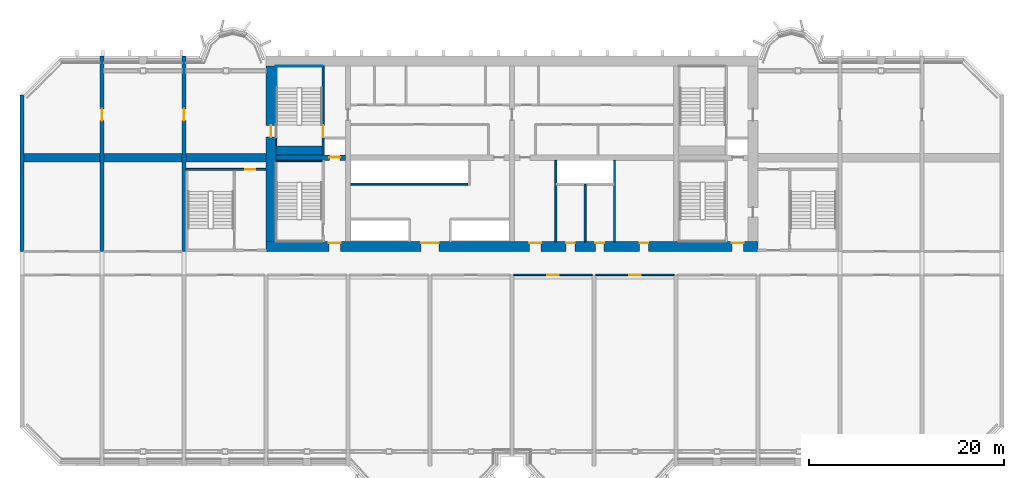
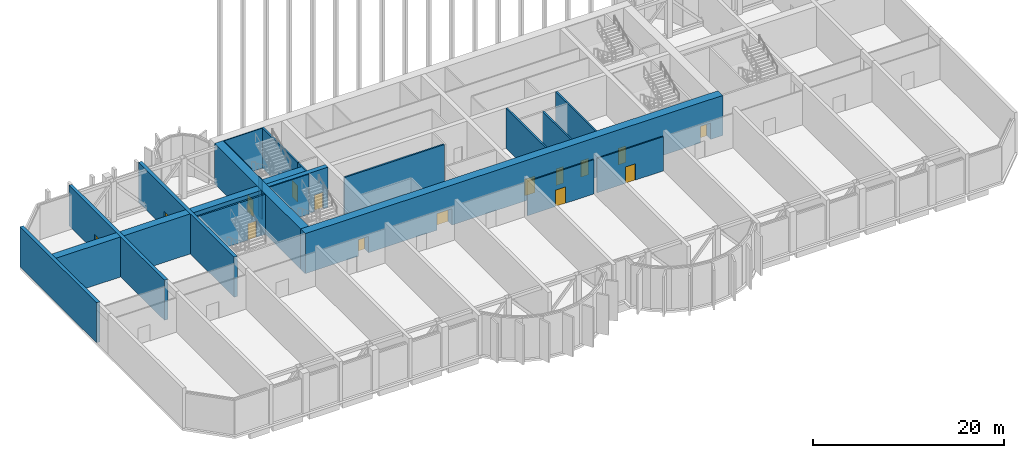
# One storey, part 6 of 17: 23 walls, 15 doors, 15 openings.
"""IFC4 building model written with IfcOpenShell, lengths in metres."""

from ifc_helpers import new_model, si_unit, direction, frame, frame_2d, origin, place, context, subcontext, project, spatial, rectangle, extrude, source, transform, mapped, material, layer, layer_set, type_object, element, fill, save


model = new_model("IFC4")

# Units and contexts
model_context = context("Model", 3, precision=1e-05, world=origin(), true_north=direction((0.0, 1.0)))
body_context = subcontext(model_context, "Body", "Model", "MODEL_VIEW")
ifc_project = project(units=[si_unit("LENGTHUNIT", "METRE"), si_unit("AREAUNIT", "SQUARE_METRE"), si_unit("VOLUMEUNIT", "CUBIC_METRE"), si_unit("PLANEANGLEUNIT", "RADIAN"), si_unit("MASSUNIT", "GRAM", prefix="KILO")], contexts=[model_context])

# Site, building, storey
site_placement = place(None, origin())
site = spatial("IfcSite", under=ifc_project, at=site_placement, CompositionType="ELEMENT")
building_placement = place(site_placement, origin())
building = spatial("IfcBuilding", under=site, at=building_placement, Name="Vanashikhar Sky Hotel", CompositionType="ELEMENT")
storey_placement = place(building_placement, frame((0.0, 0.0, 81.0)))
storey = spatial("IfcBuildingStorey", under=building, at=storey_placement, Name="L19", CompositionType="ELEMENT", Elevation=81.0)

# Wall, openings, doors
ifc_material_1 = material(Name="Concrete M80", Category="concrete")
ifc_layer_1 = layer(ifc_material_1, 1.0)
ifc_layer_set_1 = layer_set([ifc_layer_1], Name="RC core shell wall 1000 Concrete M80")
wall_type_1 = type_object("IfcWallType", Name="RC core shell wall 1000 Concrete M80", PredefinedType="SHEAR", material=ifc_layer_set_1)
shared_shape_1 = source(origin(), body_context, "Body", "SweptSolid", [
    extrude(rectangle(XDim=50.400146484375, YDim=1.0, at=frame_2d((25.2001953125, 0.0))), origin(), (0.0, 0.0, 1.0), 5.1201171875),
])
wall_1_placement = place(storey_placement, frame((25.199951171875, 22.5, 0.0), z_axis=(0.0, 0.0, 1.0), x_axis=(1.0, 0.0, 0.0)))
wall_1 = element("IfcWall", 1, at=wall_1_placement, inside=storey, type_object=wall_type_1, Name="KW-L19-KS", PredefinedType="SHEAR", context=body_context, shape_type="MappedRepresentation", body=[
    mapped(shared_shape_1, transform((0.0, 0.0, 0.0), scale=1.0)),
])
shared_shape_2 = source(origin(), body_context, "Body", "SweptSolid", [
    extrude(rectangle(XDim=1.800048828125, YDim=2.10009765625, at=frame_2d((0.89990234375, 1.050048828125))), frame((0.0, 0.510009765625, 0.0), z_axis=(0.0, -1.0, 0.0), x_axis=(1.0, 0.0, 0.0)), (0.0, 0.0, 1.0), 1.02001953125),
])
opening_1_placement = place(wall_1_placement, frame((15.89990234375, 0.0, 0.0)))
opening_1 = element("IfcOpeningElement", 2, at=opening_1_placement, cuts=wall_1, Name="Opening DC-3", PredefinedType="OPENING", context=body_context, shape_type="MappedRepresentation", body=[
    mapped(shared_shape_2, transform((0.0, 0.0, 0.0), scale=1.0)),
])
shared_shape_3 = source(origin(), body_context, "Body", "SweptSolid", [
    extrude(rectangle(XDim=1.199951171875, YDim=2.10009765625, at=frame_2d((0.60009765625, 1.050048828125))), frame((0.0, 0.510009765625, 0.0), z_axis=(0.0, -1.0, 0.0), x_axis=(1.0, 0.0, 0.0)), (0.0, 0.0, 1.0), 1.02001953125),
])
opening_2_placement = place(wall_1_placement, frame((26.987060546875, 0.0, 0.0)))
opening_2 = element("IfcOpeningElement", 3, at=opening_2_placement, cuts=wall_1, Name="Opening DC-4-B", PredefinedType="OPENING", context=body_context, shape_type="MappedRepresentation", body=[
    mapped(shared_shape_3, transform((0.0, 0.0, 0.0), scale=1.0)),
])
shared_shape_4 = source(origin(), body_context, "Body", "SweptSolid", [
    extrude(rectangle(XDim=0.89990234375, YDim=2.10009765625, at=frame_2d((0.449951171875, 1.050048828125))), frame((0.0, 0.510009765625, 0.0), z_axis=(0.0, -1.0, 0.0), x_axis=(1.0, 0.0, 0.0)), (0.0, 0.0, 1.0), 1.02001953125),
])
opening_3_placement = place(wall_1_placement, frame((33.75, 0.0, 0.0)))
opening_3 = element("IfcOpeningElement", 4, at=opening_3_placement, cuts=wall_1, Name="Opening DC-4-A", PredefinedType="OPENING", context=body_context, shape_type="MappedRepresentation", body=[
    mapped(shared_shape_4, transform((0.0, 0.0, 0.0), scale=1.0)),
])
opening_4_placement = place(wall_1_placement, frame((30.75, 0.0, 0.0)))
opening_4 = element("IfcOpeningElement", 5, at=opening_4_placement, cuts=wall_1, Name="Opening DC-4-A", PredefinedType="OPENING", context=body_context, shape_type="MappedRepresentation", body=[
    mapped(shared_shape_4, transform((0.0, 0.0, 0.0), scale=1.0)),
])
opening_5_placement = place(wall_1_placement, frame((38.261962890625, 0.0, 0.0)))
opening_5 = element("IfcOpeningElement", 6, at=opening_5_placement, cuts=wall_1, Name="Opening DC-4-A", PredefinedType="OPENING", context=body_context, shape_type="MappedRepresentation", body=[
    mapped(shared_shape_4, transform((0.0, 0.0, 0.0), scale=1.0)),
])
opening_6_placement = place(wall_1_placement, frame((6.43798828125, 0.0, 0.0)))
opening_6 = element("IfcOpeningElement", 7, at=opening_6_placement, cuts=wall_1, Name="Opening DC-2", PredefinedType="OPENING", context=body_context, shape_type="MappedRepresentation", body=[
    mapped(shared_shape_3, transform((0.0, 0.0, 0.0), scale=1.0)),
])
opening_7_placement = place(wall_1_placement, frame((47.72509765625, 0.0, 0.0)))
opening_7 = element("IfcOpeningElement", 8, at=opening_7_placement, cuts=wall_1, Name="Opening DC-2", PredefinedType="OPENING", context=body_context, shape_type="MappedRepresentation", body=[
    mapped(shared_shape_3, transform((0.0, 0.0, 0.0), scale=1.0)),
])
ifc_material_2 = material(Name="Glass", Category="glass")
door_type_1 = type_object("IfcDoorType", Name="Lift lobby entrance door 1800 FD60", OperationType="NOTDEFINED", PredefinedType="DOOR", material=ifc_material_2)
shared_shape_5 = source(origin(), body_context, "Body", "SweptSolid", [
    extrude(rectangle(XDim=1.800048828125, YDim=2.10009765625, at=frame_2d((0.89990234375, 1.050048828125))), frame((0.0, 0.375, 0.0), z_axis=(0.0, -1.0, 0.0), x_axis=(1.0, 0.0, 0.0)), (0.0, 0.0, 1.0), 0.050048828125),
])
door_1_placement = place(opening_1_placement, origin())
door_1 = element("IfcDoor", 9, at=door_1_placement, inside=storey, type_object=door_type_1, Name="Lift lobby entrance door 1800 FD60", OperationType="DOUBLE_DOOR_SINGLE_SWING", OverallHeight=2.10009765625, OverallWidth=1.800048828125, PredefinedType="DOOR", context=body_context, shape_type="MappedRepresentation", body=[
    mapped(shared_shape_5, transform((0.0, 0.0, 0.0), scale=1.0)),
])
fill(opening_1, door_1)
ifc_material_3 = material(Name="Steel", Category="steel")
door_type_2 = type_object("IfcDoorType", Name="Service door 1200 FD60", OperationType="NOTDEFINED", PredefinedType="DOOR", material=ifc_material_3)
shared_shape_6 = source(origin(), body_context, "Body", "SweptSolid", [
    extrude(rectangle(XDim=1.199951171875, YDim=2.10009765625, at=frame_2d((0.60009765625, 1.050048828125))), frame((0.0, 0.375, 0.0), z_axis=(0.0, -1.0, 0.0), x_axis=(1.0, 0.0, 0.0)), (0.0, 0.0, 1.0), 0.050048828125),
])
door_2_placement = place(opening_2_placement, origin())
door_2 = element("IfcDoor", 10, at=door_2_placement, inside=storey, type_object=door_type_2, Name="Service door 1200 FD60", OperationType="SINGLE_SWING_RIGHT", OverallHeight=2.10009765625, OverallWidth=1.199951171875, PredefinedType="DOOR", context=body_context, shape_type="MappedRepresentation", body=[
    mapped(shared_shape_6, transform((0.0, 0.0, 0.0), scale=1.0)),
])
fill(opening_2, door_2)
door_type_3 = type_object("IfcDoorType", Name="Firefighting lobby door 1200 FD120", OperationType="NOTDEFINED", PredefinedType="DOOR", material=ifc_material_3)
door_3_placement = place(opening_6_placement, origin())
door_3 = element("IfcDoor", 11, at=door_3_placement, inside=storey, type_object=door_type_3, Name="Firefighting lobby door 1200 FD120", OperationType="SINGLE_SWING_RIGHT", OverallHeight=2.10009765625, OverallWidth=1.199951171875, PredefinedType="DOOR", context=body_context, shape_type="MappedRepresentation", body=[
    mapped(shared_shape_6, transform((0.0, 0.0, 0.0), scale=1.0)),
])
fill(opening_6, door_3)
door_4_placement = place(opening_7_placement, origin())
door_4 = element("IfcDoor", 12, at=door_4_placement, inside=storey, type_object=door_type_3, Name="Firefighting lobby door 1200 FD120", OperationType="SINGLE_SWING_LEFT", OverallHeight=2.10009765625, OverallWidth=1.199951171875, PredefinedType="DOOR", context=body_context, shape_type="MappedRepresentation", body=[
    mapped(shared_shape_6, transform((0.0, 0.0, 0.0), scale=1.0)),
])
fill(opening_7, door_4)
door_type_4 = type_object("IfcDoorType", Name="Service door 900 FD60", OperationType="NOTDEFINED", PredefinedType="DOOR", material=ifc_material_3)
shared_shape_7 = source(origin(), body_context, "Body", "SweptSolid", [
    extrude(rectangle(XDim=0.89990234375, YDim=2.10009765625, at=frame_2d((0.449951171875, 1.050048828125))), frame((0.0, 0.375, 0.0), z_axis=(0.0, -1.0, 0.0), x_axis=(1.0, 0.0, 0.0)), (0.0, 0.0, 1.0), 0.050048828125),
])
door_5_placement = place(opening_3_placement, origin())
door_5 = element("IfcDoor", 13, at=door_5_placement, inside=storey, type_object=door_type_4, Name="Service door 900 FD60", OperationType="SINGLE_SWING_RIGHT", OverallHeight=2.10009765625, OverallWidth=0.89990234375, PredefinedType="DOOR", context=body_context, shape_type="MappedRepresentation", body=[
    mapped(shared_shape_7, transform((0.0, 0.0, 0.0), scale=1.0)),
])
fill(opening_3, door_5)
door_6_placement = place(opening_4_placement, origin())
door_6 = element("IfcDoor", 14, at=door_6_placement, inside=storey, type_object=door_type_4, Name="Service door 900 FD60", OperationType="SINGLE_SWING_LEFT", OverallHeight=2.10009765625, OverallWidth=0.89990234375, PredefinedType="DOOR", context=body_context, shape_type="MappedRepresentation", body=[
    mapped(shared_shape_7, transform((0.0, 0.0, 0.0), scale=1.0)),
])
fill(opening_4, door_6)
door_7_placement = place(opening_5_placement, origin())
door_7 = element("IfcDoor", 15, at=door_7_placement, inside=storey, type_object=door_type_4, Name="Service door 900 FD60", OperationType="SINGLE_SWING_LEFT", OverallHeight=2.10009765625, OverallWidth=0.89990234375, PredefinedType="DOOR", context=body_context, shape_type="MappedRepresentation", body=[
    mapped(shared_shape_7, transform((0.0, 0.0, 0.0), scale=1.0)),
])
fill(opening_5, door_7)

# Wall, opening, door
shared_shape_8 = source(origin(), body_context, "Body", "SweptSolid", [
    extrude(rectangle(XDim=18.0, YDim=1.0, at=frame_2d((9.0, 0.0))), origin(), (0.0, 0.0, 1.0), 5.1201171875),
])
wall_2_placement = place(storey_placement, frame((25.699951171875, 23.0, 0.0), z_axis=(0.0, 0.0, 1.0), x_axis=(0.0, 1.0, 0.0)))
wall_2 = element("IfcWall", 16, at=wall_2_placement, inside=storey, type_object=wall_type_1, Name="KW-L19-KW", PredefinedType="SHEAR", context=body_context, shape_type="MappedRepresentation", body=[
    mapped(shared_shape_8, transform((0.0, 0.0, 0.0), scale=1.0)),
])
opening_8_placement = place(wall_2_placement, frame((10.699951171875, 0.0, 0.0)))
opening_8 = element("IfcOpeningElement", 17, at=opening_8_placement, cuts=wall_2, Name="Opening DC-4-D", PredefinedType="OPENING", context=body_context, shape_type="MappedRepresentation", body=[
    mapped(shared_shape_3, transform((0.0, 0.0, 0.0), scale=1.0)),
])
door_type_5 = type_object("IfcDoorType", Name="Service door 1200 FD120", OperationType="NOTDEFINED", PredefinedType="DOOR", material=ifc_material_3)
shared_shape_9 = source(origin(), body_context, "Body", "SweptSolid", [
    extrude(rectangle(XDim=1.199951171875, YDim=2.10009765625, at=frame_2d((0.60009765625, 1.050048828125))), frame((0.0, 0.02490234375, 0.0), z_axis=(0.0, -1.0, 0.0), x_axis=(1.0, 0.0, 0.0)), (0.0, 0.0, 1.0), 0.050048828125),
])
door_8_placement = place(opening_8_placement, origin())
door_8 = element("IfcDoor", 18, at=door_8_placement, inside=storey, type_object=door_type_5, Name="Service door 1200 FD120", OperationType="SINGLE_SWING_LEFT", OverallHeight=2.10009765625, OverallWidth=1.199951171875, PredefinedType="DOOR", context=body_context, shape_type="MappedRepresentation", body=[
    mapped(shared_shape_9, transform((0.0, 0.0, 0.0), scale=1.0)),
])
fill(opening_8, door_8)

ifc_layer_2 = layer(ifc_material_1, 0.550048828125)
ifc_layer_set_2 = layer_set([ifc_layer_2], Name="RC core inner wall 550 Concrete M80")
wall_type_2 = type_object("IfcWallType", Name="RC core inner wall 550 Concrete M80", PredefinedType="SHEAR", material=ifc_layer_set_2)
shared_shape_10 = source(origin(), body_context, "Body", "SweptSolid", [
    extrude(rectangle(XDim=7.125, YDim=0.550048828125, at=frame_2d((3.5625, 0.0))), origin(), (0.0, 0.0, 1.0), 5.1201171875),
])
wall_3_placement = place(storey_placement, frame((26.199951171875, 31.60009765625, 0.0), z_axis=(0.0, 0.0, 1.0), x_axis=(1.0, 0.0, 0.0)))
wall_3 = element("IfcWall", 19, at=wall_3_placement, inside=storey, type_object=wall_type_2, Name="KW-L19-KY1", PredefinedType="SHEAR", context=body_context, shape_type="MappedRepresentation", body=[
    mapped(shared_shape_10, transform((0.0, 0.0, 0.0), scale=1.0)),
])
shared_shape_11 = source(origin(), body_context, "Body", "SweptSolid", [
    extrude(rectangle(XDim=1.10009765625, YDim=2.10009765625, at=frame_2d((0.550048828125, 1.050048828125))), frame((0.0, 0.28515625, 0.0), z_axis=(0.0, -1.0, 0.0), x_axis=(1.0, 0.0, 0.0)), (0.0, 0.0, 1.0), 0.570068359375),
])
opening_9_placement = place(wall_3_placement, frame((5.488037109375, 0.0, 0.0)))
opening_9 = element("IfcOpeningElement", 20, at=opening_9_placement, cuts=wall_3, Name="Opening LD", PredefinedType="OPENING", context=body_context, shape_type="MappedRepresentation", body=[
    mapped(shared_shape_11, transform((0.0, 0.0, 0.0), scale=1.0)),
])
ifc_material_4 = material(Name="Stainless steel", Category="steel")
door_type_6 = type_object("IfcDoorType", Name="Lift landing door 1100", OperationType="NOTDEFINED", PredefinedType="DOOR", material=ifc_material_4)
shared_shape_12 = source(origin(), body_context, "Body", "SweptSolid", [
    extrude(rectangle(XDim=1.10009765625, YDim=2.10009765625, at=frame_2d((0.550048828125, 1.050048828125))), frame((0.0, 0.02490234375, 0.0), z_axis=(0.0, -1.0, 0.0), x_axis=(1.0, 0.0, 0.0)), (0.0, 0.0, 1.0), 0.050048828125),
])
door_9_placement = place(opening_9_placement, origin())
door_9 = element("IfcDoor", 21, at=door_9_placement, inside=storey, type_object=door_type_6, Name="Lift landing door 1100", OperationType="SLIDING_TO_LEFT", OverallHeight=2.10009765625, OverallWidth=1.10009765625, PredefinedType="DOOR", context=body_context, shape_type="MappedRepresentation", body=[
    mapped(shared_shape_12, transform((0.0, 0.0, 0.0), scale=1.0)),
])
fill(opening_9, door_9)

# Wall
ifc_layer_3 = layer(ifc_material_1, 0.39990234375)
ifc_layer_set_3 = layer_set([ifc_layer_3], Name="RC shear wall 400 Concrete M80")
wall_type_3 = type_object("IfcWallType", Name="RC shear wall 400 Concrete M80", PredefinedType="SHEAR", material=ifc_layer_set_3)
shared_shape_13 = source(origin(), body_context, "Body", "SweptSolid", [
    extrude(rectangle(XDim=16.0, YDim=0.39990234375, at=frame_2d((8.0, 0.0))), origin(), (0.0, 0.0, 1.0), 5.1201171875),
])
wall_4_placement = place(storey_placement, frame((0.199951171875, 22.0, 0.0), z_axis=(0.0, 0.0, 1.0), x_axis=(0.0, 1.0, 0.0)))
element("IfcWall", 22, at=wall_4_placement, inside=storey, type_object=wall_type_3, Name="CW-L19-XW01-2", PredefinedType="SHEAR", context=body_context, shape_type="MappedRepresentation", body=[
    mapped(shared_shape_13, transform((0.0, 0.0, 0.0), scale=1.0)),
])

# Wall, opening, door
shared_shape_14 = source(origin(), body_context, "Body", "SweptSolid", [
    extrude(rectangle(XDim=20.0, YDim=0.39990234375, at=frame_2d((10.0, 0.0))), origin(), (0.0, 0.0, 1.0), 5.1201171875),
])
wall_5_placement = place(storey_placement, frame((8.39990234375, 22.0, 0.0), z_axis=(0.0, 0.0, 1.0), x_axis=(0.0, 1.0, 0.0)))
wall_5 = element("IfcWall", 23, at=wall_5_placement, inside=storey, type_object=wall_type_3, Name="CW-L19-XW02-2", PredefinedType="SHEAR", context=body_context, shape_type="MappedRepresentation", body=[
    mapped(shared_shape_14, transform((0.0, 0.0, 0.0), scale=1.0)),
])
shared_shape_15 = source(origin(), body_context, "Body", "SweptSolid", [
    extrude(rectangle(XDim=1.199951171875, YDim=2.10009765625, at=frame_2d((0.60009765625, 1.050048828125))), frame((0.0, 0.2099609375, 0.0), z_axis=(0.0, -1.0, 0.0), x_axis=(1.0, 0.0, 0.0)), (0.0, 0.0, 1.0), 0.419921875),
])
opening_10_placement = place(wall_5_placement, frame((13.39990234375, 0.0, 0.0)))
opening_10 = element("IfcOpeningElement", 24, at=opening_10_placement, cuts=wall_5, Name="Opening DC-4-D", PredefinedType="OPENING", context=body_context, shape_type="MappedRepresentation", body=[
    mapped(shared_shape_15, transform((0.0, 0.0, 0.0), scale=1.0)),
])
door_10_placement = place(opening_10_placement, origin())
door_10 = element("IfcDoor", 25, at=door_10_placement, inside=storey, type_object=door_type_5, Name="Service door 1200 FD120", OperationType="SINGLE_SWING_LEFT", OverallHeight=2.10009765625, OverallWidth=1.199951171875, PredefinedType="DOOR", context=body_context, shape_type="MappedRepresentation", body=[
    mapped(shared_shape_9, transform((0.0, 0.0, 0.0), scale=1.0)),
])
fill(opening_10, door_10)

wall_6_placement = place(storey_placement, frame((16.800048828125, 22.0, 0.0), z_axis=(0.0, 0.0, 1.0), x_axis=(0.0, 1.0, 0.0)))
wall_6 = element("IfcWall", 26, at=wall_6_placement, inside=storey, type_object=wall_type_3, Name="CW-L19-XW03-2", PredefinedType="SHEAR", context=body_context, shape_type="MappedRepresentation", body=[
    mapped(shared_shape_14, transform((0.0, 0.0, 0.0), scale=1.0)),
])
opening_11_placement = place(wall_6_placement, frame((13.39990234375, 0.0, 0.0)))
opening_11 = element("IfcOpeningElement", 27, at=opening_11_placement, cuts=wall_6, Name="Opening DC-4-D", PredefinedType="OPENING", context=body_context, shape_type="MappedRepresentation", body=[
    mapped(shared_shape_15, transform((0.0, 0.0, 0.0), scale=1.0)),
])
door_11_placement = place(opening_11_placement, origin())
door_11 = element("IfcDoor", 28, at=door_11_placement, inside=storey, type_object=door_type_5, Name="Service door 1200 FD120", OperationType="SINGLE_SWING_RIGHT", OverallHeight=2.10009765625, OverallWidth=1.199951171875, PredefinedType="DOOR", context=body_context, shape_type="MappedRepresentation", body=[
    mapped(shared_shape_9, transform((0.0, 0.0, 0.0), scale=1.0)),
])
fill(opening_11, door_11)

# Walls
ifc_layer_4 = layer(ifc_material_1, 0.89990234375)
ifc_layer_set_4 = layer_set([ifc_layer_4], Name="RC outrigger wall 900 Concrete M80")
wall_type_4 = type_object("IfcWallType", Name="RC outrigger wall 900 Concrete M80", PredefinedType="SHEAR", material=ifc_layer_set_4)
shared_shape_16 = source(origin(), body_context, "Body", "SweptSolid", [
    extrude(rectangle(XDim=7.800048828125, YDim=0.89990234375, at=frame_2d((3.89990234375, 0.0))), origin(), (0.0, 0.0, 1.0), 5.1201171875),
])
wall_7_placement = place(storey_placement, frame((0.39990234375, 31.60009765625, 0.0), z_axis=(0.0, 0.0, 1.0), x_axis=(1.0, 0.0, 0.0)))
element("IfcWall", 29, at=wall_7_placement, inside=storey, type_object=wall_type_4, Name="OW-L19-01", PredefinedType="SHEAR", context=body_context, shape_type="MappedRepresentation", body=[
    mapped(shared_shape_16, transform((0.0, 0.0, 0.0), scale=1.0)),
])
shared_shape_17 = source(origin(), body_context, "Body", "SweptSolid", [
    extrude(rectangle(XDim=8.0, YDim=0.89990234375, at=frame_2d((4.0, 0.0))), origin(), (0.0, 0.0, 1.0), 5.1201171875),
])
wall_8_placement = place(storey_placement, frame((8.60009765625, 31.60009765625, 0.0), z_axis=(0.0, 0.0, 1.0), x_axis=(1.0, 0.0, 0.0)))
element("IfcWall", 30, at=wall_8_placement, inside=storey, type_object=wall_type_4, Name="OW-L19-02", PredefinedType="SHEAR", context=body_context, shape_type="MappedRepresentation", body=[
    mapped(shared_shape_17, transform((0.0, 0.0, 0.0), scale=1.0)),
])
shared_shape_18 = source(origin(), body_context, "Body", "SweptSolid", [
    extrude(rectangle(XDim=8.199951171875, YDim=0.89990234375, at=frame_2d((4.10009765625, 0.0))), origin(), (0.0, 0.0, 1.0), 5.1201171875),
])
wall_9_placement = place(storey_placement, frame((17.0, 31.60009765625, 0.0), z_axis=(0.0, 0.0, 1.0), x_axis=(1.0, 0.0, 0.0)))
element("IfcWall", 31, at=wall_9_placement, inside=storey, type_object=wall_type_4, Name="OW-L19-03", PredefinedType="SHEAR", context=body_context, shape_type="MappedRepresentation", body=[
    mapped(shared_shape_18, transform((0.0, 0.0, 0.0), scale=1.0)),
])

# Wall, opening, door
ifc_material_5 = material(Name="Concrete M50", Category="concrete")
ifc_layer_5 = layer(ifc_material_5, 0.199951171875)
ifc_layer_set_5 = layer_set([ifc_layer_5], Name="Stair wall 200")
wall_type_5 = type_object("IfcWallType", Name="Stair wall 200", PredefinedType="SOLIDWALL", material=ifc_layer_set_5)
shared_shape_19 = source(origin(), body_context, "Body", "SweptSolid", [
    extrude(rectangle(XDim=8.199951171875, YDim=0.199951171875, at=frame_2d((4.10009765625, 0.0))), origin(), (0.0, 0.0, 1.0), 5.1201171875),
])
wall_10_placement = place(storey_placement, frame((25.199951171875, 30.39990234375, 0.0), z_axis=(0.0, 0.0, 1.0), x_axis=(-1.0, 0.0, 0.0)))
wall_10 = element("IfcWall", 32, at=wall_10_placement, inside=storey, type_object=wall_type_5, Name="Stair wall 200", PredefinedType="SOLIDWALL", context=body_context, shape_type="MappedRepresentation", body=[
    mapped(shared_shape_19, transform((0.0, 0.0, 0.0), scale=1.0)),
])
shared_shape_20 = source(origin(), body_context, "Body", "SweptSolid", [
    extrude(rectangle(XDim=1.0, YDim=2.10009765625, at=frame_2d((0.5, 1.050048828125))), frame((0.0, 0.10986328125, 0.0), z_axis=(0.0, -1.0, 0.0), x_axis=(1.0, 0.0, 0.0)), (0.0, 0.0, 1.0), 0.219970703125),
])
opening_12_placement = place(wall_10_placement, frame((1.10009765625, 0.0, 0.0)))
opening_12 = element("IfcOpeningElement", 33, at=opening_12_placement, cuts=wall_10, Name="Opening DC-6", PredefinedType="OPENING", context=body_context, shape_type="MappedRepresentation", body=[
    mapped(shared_shape_20, transform((0.0, 0.0, 0.0), scale=1.0)),
])
door_type_7 = type_object("IfcDoorType", Name="Pocket door 1000 FD60", OperationType="NOTDEFINED", PredefinedType="DOOR", material=ifc_material_3)
shared_shape_21 = source(origin(), body_context, "Body", "SweptSolid", [
    extrude(rectangle(XDim=1.0, YDim=2.10009765625, at=frame_2d((0.5, 1.050048828125))), frame((0.0, 0.02490234375, 0.0), z_axis=(0.0, -1.0, 0.0), x_axis=(1.0, 0.0, 0.0)), (0.0, 0.0, 1.0), 0.050048828125),
])
door_12_placement = place(opening_12_placement, origin())
door_12 = element("IfcDoor", 34, at=door_12_placement, inside=storey, type_object=door_type_7, Name="Pocket door 1000 FD60", OperationType="SINGLE_SWING_RIGHT", OverallHeight=2.10009765625, OverallWidth=1.0, PredefinedType="DOOR", context=body_context, shape_type="MappedRepresentation", body=[
    mapped(shared_shape_21, transform((0.0, 0.0, 0.0), scale=1.0)),
])
fill(opening_12, door_12)

# Walls
ifc_layer_6 = layer(ifc_material_5, 0.10009765625)
ifc_layer_set_6 = layer_set([ifc_layer_6], Name="Stair infill wall 100")
wall_type_6 = type_object("IfcWallType", Name="Stair infill wall 100", PredefinedType="SOLIDWALL", material=ifc_layer_set_6)
shared_shape_22 = source(origin(), body_context, "Body", "SweptSolid", [
    extrude(rectangle(XDim=4.75, YDim=0.10009765625, at=frame_2d((2.375, 0.0))), origin(), (0.0, 0.0, 1.0), 5.1201171875),
])
wall_11_placement = place(storey_placement, frame((26.199951171875, 40.949951171875, 0.0), z_axis=(0.0, 0.0, 1.0), x_axis=(1.0, 0.0, 0.0)))
element("IfcWall", 35, at=wall_11_placement, inside=storey, type_object=wall_type_6, Name="Stair infill wall 100", PredefinedType="SOLIDWALL", context=body_context, shape_type="MappedRepresentation", body=[
    mapped(shared_shape_22, transform((0.0, 0.0, 0.0), scale=1.0)),
])
ifc_material_6 = material(Name="Concrete M40", Category="concrete")
ifc_layer_7 = layer(ifc_material_6, 0.199951171875)
ifc_layer_set_7 = layer_set([ifc_layer_7], Name="Shaft wall 200")
wall_type_7 = type_object("IfcWallType", Name="Shaft wall 200", PredefinedType="SOLIDWALL", material=ifc_layer_set_7)
shared_shape_23 = source(origin(), body_context, "Body", "SweptSolid", [
    extrude(rectangle(XDim=12.02490234375, YDim=0.199951171875, at=frame_2d((6.012451171875, 0.0))), origin(), (0.0, 0.0, 1.0), 5.1201171875),
])
wall_12_placement = place(storey_placement, frame((33.875, 28.89990234375, 0.0), z_axis=(0.0, 0.0, 1.0), x_axis=(1.0, 0.0, 0.0)))
element("IfcWall", 36, at=wall_12_placement, inside=storey, type_object=wall_type_7, Name="Shaft wall 200", PredefinedType="SOLIDWALL", context=body_context, shape_type="MappedRepresentation", body=[
    mapped(shared_shape_23, transform((0.0, 0.0, 0.0), scale=1.0)),
])
ifc_material_7 = material(Name="Gypsum board partition")
ifc_layer_8 = layer(ifc_material_7, 0.14990234375)
ifc_layer_set_8 = layer_set([ifc_layer_8], Name="Service partition 150")
wall_type_8 = type_object("IfcWallType", Name="Service partition 150", PredefinedType="PARTITIONING", material=ifc_layer_set_8)
shared_shape_24 = source(origin(), body_context, "Body", "SweptSolid", [
    extrude(rectangle(XDim=8.324951171875, YDim=0.199951171875, at=frame_2d((4.16259765625, 0.0))), origin(), (0.0, 0.0, 1.0), 5.1201171875),
])
for number, where, z_axis, x_axis, name in (
    (37, (54.89990234375, 23.0, 0.0), (0.0, 0.0, 1.0), (0.0, 1.0, 0.0), "Service partition 150"),
    (38, (60.89990234375, 23.0, 0.0), (0.0, 0.0, 1.0), (0.0, 1.0, 0.0), "Service partition 150"),
):
    element("IfcWall", number, at=place(storey_placement, frame(where, z_axis=z_axis, x_axis=x_axis)), inside=storey, type_object=wall_type_8, Name=name, PredefinedType="PARTITIONING", context=body_context, shape_type="MappedRepresentation", body=[
        mapped(shared_shape_24, transform((0.0, 0.0, 0.0), scale=1.0)),
    ])
shared_shape_25 = source(origin(), body_context, "Body", "SweptSolid", [
    extrude(rectangle(XDim=5.89990234375, YDim=0.199951171875, at=frame_2d((2.949951171875, 0.0))), origin(), (0.0, 0.0, 1.0), 5.1201171875),
])
wall_13_placement = place(storey_placement, frame((57.89990234375, 23.0, 0.0), z_axis=(0.0, 0.0, 1.0), x_axis=(0.0, 1.0, 0.0)))
element("IfcWall", 39, at=wall_13_placement, inside=storey, type_object=wall_type_8, Name="Service partition 150", PredefinedType="PARTITIONING", context=body_context, shape_type="MappedRepresentation", body=[
    mapped(shared_shape_25, transform((0.0, 0.0, 0.0), scale=1.0)),
])
shared_shape_26 = source(origin(), body_context, "Body", "SweptSolid", [
    extrude(rectangle(XDim=1.72509765625, YDim=0.199951171875, at=frame_2d((0.862548828125, 0.0))), origin(), (0.0, 0.0, 1.0), 5.1201171875),
])
wall_14_placement = place(storey_placement, frame((31.050048828125, 31.875, 0.0), z_axis=(0.0, 0.0, 1.0), x_axis=(0.0, 1.0, 0.0)))
element("IfcWall", 40, at=wall_14_placement, inside=storey, type_object=wall_type_7, Name="Shaft wall 200", PredefinedType="SOLIDWALL", context=body_context, shape_type="MappedRepresentation", body=[
    mapped(shared_shape_26, transform((0.0, 0.0, 0.0), scale=1.0)),
])

# Wall, opening, door
shared_shape_27 = source(origin(), body_context, "Body", "SweptSolid", [
    extrude(rectangle(XDim=7.39990234375, YDim=0.199951171875, at=frame_2d((3.699951171875, 0.0))), origin(), (0.0, 0.0, 1.0), 5.1201171875),
])
wall_15_placement = place(storey_placement, frame((31.050048828125, 33.60009765625, 0.0), z_axis=(0.0, 0.0, 1.0), x_axis=(0.0, 1.0, 0.0)))
wall_15 = element("IfcWall", 41, at=wall_15_placement, inside=storey, type_object=wall_type_5, Name="Stair wall 200", PredefinedType="SOLIDWALL", context=body_context, shape_type="MappedRepresentation", body=[
    mapped(shared_shape_27, transform((0.0, 0.0, 0.0), scale=1.0)),
])
shared_shape_28 = source(origin(), body_context, "Body", "SweptSolid", [
    extrude(rectangle(XDim=1.199951171875, YDim=2.10009765625, at=frame_2d((0.60009765625, 1.050048828125))), frame((0.0, 0.10986328125, 0.0), z_axis=(0.0, -1.0, 0.0), x_axis=(1.0, 0.0, 0.0)), (0.0, 0.0, 1.0), 0.219970703125),
])
opening_13_placement = place(wall_15_placement, frame((0.10009765625, 0.0, 0.0)))
opening_13 = element("IfcOpeningElement", 42, at=opening_13_placement, cuts=wall_15, Name="Opening DC-1", PredefinedType="OPENING", context=body_context, shape_type="MappedRepresentation", body=[
    mapped(shared_shape_28, transform((0.0, 0.0, 0.0), scale=1.0)),
])
door_type_8 = type_object("IfcDoorType", Name="Stair door 1200 FD120", OperationType="NOTDEFINED", PredefinedType="DOOR", material=ifc_material_3)
door_13_placement = place(opening_13_placement, origin())
door_13 = element("IfcDoor", 43, at=door_13_placement, inside=storey, type_object=door_type_8, Name="Stair door 1200 FD120", OperationType="SINGLE_SWING_LEFT", OverallHeight=2.10009765625, OverallWidth=1.199951171875, PredefinedType="DOOR", context=body_context, shape_type="MappedRepresentation", body=[
    mapped(shared_shape_9, transform((0.0, 0.0, 0.0), scale=1.0)),
])
fill(opening_13, door_13)

# Walls
ifc_layer_9 = layer(ifc_material_5, 0.125)
ifc_layer_set_9 = layer_set([ifc_layer_9], Name="Stair infill wall 125")
wall_type_9 = type_object("IfcWallType", Name="Stair infill wall 125", PredefinedType="SOLIDWALL", material=ifc_layer_set_9)
shared_shape_29 = source(origin(), body_context, "Body", "SweptSolid", [
    extrude(rectangle(XDim=4.75, YDim=0.125, at=frame_2d((2.375, 0.0))), origin(), (0.0, 0.0, 1.0), 5.1201171875),
])
wall_16_placement = place(storey_placement, frame((26.199951171875, 31.261962890625, 0.0), z_axis=(0.0, 0.0, 1.0), x_axis=(1.0, 0.0, 0.0)))
element("IfcWall", 44, at=wall_16_placement, inside=storey, type_object=wall_type_9, Name="Stair infill wall 125", PredefinedType="SOLIDWALL", context=body_context, shape_type="MappedRepresentation", body=[
    mapped(shared_shape_29, transform((0.0, 0.0, 0.0), scale=1.0)),
])
ifc_layer_10 = layer(ifc_material_5, 0.925048828125)
ifc_layer_set_10 = layer_set([ifc_layer_10], Name="Stair infill wall 925")
wall_type_10 = type_object("IfcWallType", Name="Stair infill wall 925", PredefinedType="SOLIDWALL", material=ifc_layer_set_10)
shared_shape_30 = source(origin(), body_context, "Body", "SweptSolid", [
    extrude(rectangle(XDim=4.75, YDim=0.925048828125, at=frame_2d((2.375, 0.0))), origin(), (0.0, 0.0, 1.0), 5.1201171875),
])
wall_17_placement = place(storey_placement, frame((26.199951171875, 32.3369140625, 0.0), z_axis=(0.0, 0.0, 1.0), x_axis=(1.0, 0.0, 0.0)))
element("IfcWall", 45, at=wall_17_placement, inside=storey, type_object=wall_type_10, Name="Stair infill wall 925", PredefinedType="SOLIDWALL", context=body_context, shape_type="MappedRepresentation", body=[
    mapped(shared_shape_30, transform((0.0, 0.0, 0.0), scale=1.0)),
])
shared_shape_31 = source(origin(), body_context, "Body", "SweptSolid", [
    extrude(rectangle(XDim=0.800048828125, YDim=0.10009765625, at=frame_2d((0.39990234375, 0.0))), origin(), (0.0, 0.0, 1.0), 5.1201171875),
])
wall_18_placement = place(storey_placement, frame((26.25, 32.800048828125, 0.0), z_axis=(0.0, 0.0, 1.0), x_axis=(0.0, 1.0, 0.0)))
element("IfcWall", 46, at=wall_18_placement, inside=storey, type_object=wall_type_6, Name="Stair infill wall 100", PredefinedType="SOLIDWALL", context=body_context, shape_type="MappedRepresentation", body=[
    mapped(shared_shape_31, transform((0.0, 0.0, 0.0), scale=1.0)),
])
shared_shape_32 = source(origin(), body_context, "Body", "SweptSolid", [
    extrude(rectangle(XDim=5.89990234375, YDim=0.10009765625, at=frame_2d((2.949951171875, 0.0))), origin(), (0.0, 0.0, 1.0), 5.1201171875),
])
wall_19_placement = place(storey_placement, frame((26.25, 35.0, 0.0), z_axis=(0.0, 0.0, 1.0), x_axis=(0.0, 1.0, 0.0)))
element("IfcWall", 47, at=wall_19_placement, inside=storey, type_object=wall_type_6, Name="Stair infill wall 100", PredefinedType="SOLIDWALL", context=body_context, shape_type="MappedRepresentation", body=[
    mapped(shared_shape_32, transform((0.0, 0.0, 0.0), scale=1.0)),
])

# Wall, opening, door
shared_shape_33 = source(origin(), body_context, "Body", "SweptSolid", [
    extrude(rectangle(XDim=8.0, YDim=0.14990234375, at=frame_2d((4.0, 0.0))), origin(), (0.0, 0.0, 1.0), 4.3701171875),
])
wall_20_placement = place(storey_placement, frame((50.60009765625, 19.60009765625, 0.0), z_axis=(0.0, 0.0, 1.0), x_axis=(1.0, 0.0, 0.0)))
wall_20 = element("IfcWall", 48, at=wall_20_placement, inside=storey, type_object=wall_type_8, Name="Service partition 150", PredefinedType="PARTITIONING", context=body_context, shape_type="MappedRepresentation", body=[
    mapped(shared_shape_33, transform((0.0, 0.0, 0.0), scale=1.0)),
])
shared_shape_34 = source(origin(), body_context, "Body", "SweptSolid", [
    extrude(rectangle(XDim=1.199951171875, YDim=2.10009765625, at=frame_2d((0.60009765625, 1.050048828125))), frame((0.0, 0.0849609375, 0.0), z_axis=(0.0, -1.0, 0.0), x_axis=(1.0, 0.0, 0.0)), (0.0, 0.0, 1.0), 0.169921875),
])
opening_14_placement = place(wall_20_placement, frame((3.39990234375, 0.0, 0.0)))
opening_14 = element("IfcOpeningElement", 49, at=opening_14_placement, cuts=wall_20, Name="Opening DC-4-D", PredefinedType="OPENING", context=body_context, shape_type="MappedRepresentation", body=[
    mapped(shared_shape_34, transform((0.0, 0.0, 0.0), scale=1.0)),
])
door_14_placement = place(opening_14_placement, origin())
door_14 = element("IfcDoor", 50, at=door_14_placement, inside=storey, type_object=door_type_5, Name="Service door 1200 FD120", OperationType="SINGLE_SWING_LEFT", OverallHeight=2.10009765625, OverallWidth=1.199951171875, PredefinedType="DOOR", context=body_context, shape_type="MappedRepresentation", body=[
    mapped(shared_shape_9, transform((0.0, 0.0, 0.0), scale=1.0)),
])
fill(opening_14, door_14)

wall_21_placement = place(storey_placement, frame((59.0, 19.60009765625, 0.0), z_axis=(0.0, 0.0, 1.0), x_axis=(1.0, 0.0, 0.0)))
wall_21 = element("IfcWall", 51, at=wall_21_placement, inside=storey, type_object=wall_type_8, Name="Service partition 150", PredefinedType="PARTITIONING", context=body_context, shape_type="MappedRepresentation", body=[
    mapped(shared_shape_33, transform((0.0, 0.0, 0.0), scale=1.0)),
])
opening_15_placement = place(wall_21_placement, frame((3.39990234375, 0.0, 0.0)))
opening_15 = element("IfcOpeningElement", 52, at=opening_15_placement, cuts=wall_21, Name="Opening DC-4-D", PredefinedType="OPENING", context=body_context, shape_type="MappedRepresentation", body=[
    mapped(shared_shape_34, transform((0.0, 0.0, 0.0), scale=1.0)),
])
door_15_placement = place(opening_15_placement, origin())
door_15 = element("IfcDoor", 53, at=door_15_placement, inside=storey, type_object=door_type_5, Name="Service door 1200 FD120", OperationType="SINGLE_SWING_RIGHT", OverallHeight=2.10009765625, OverallWidth=1.199951171875, PredefinedType="DOOR", context=body_context, shape_type="MappedRepresentation", body=[
    mapped(shared_shape_9, transform((0.0, 0.0, 0.0), scale=1.0)),
])
fill(opening_15, door_15)

save(model, "model.ifc")
